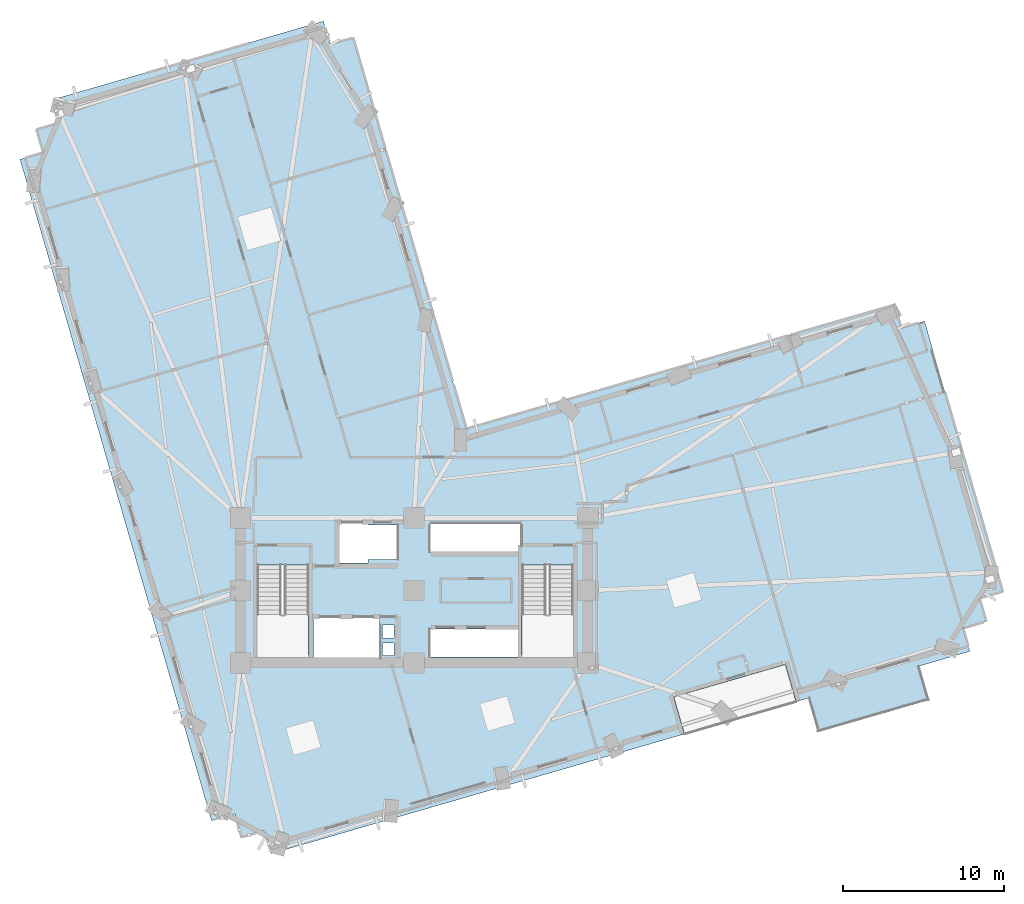
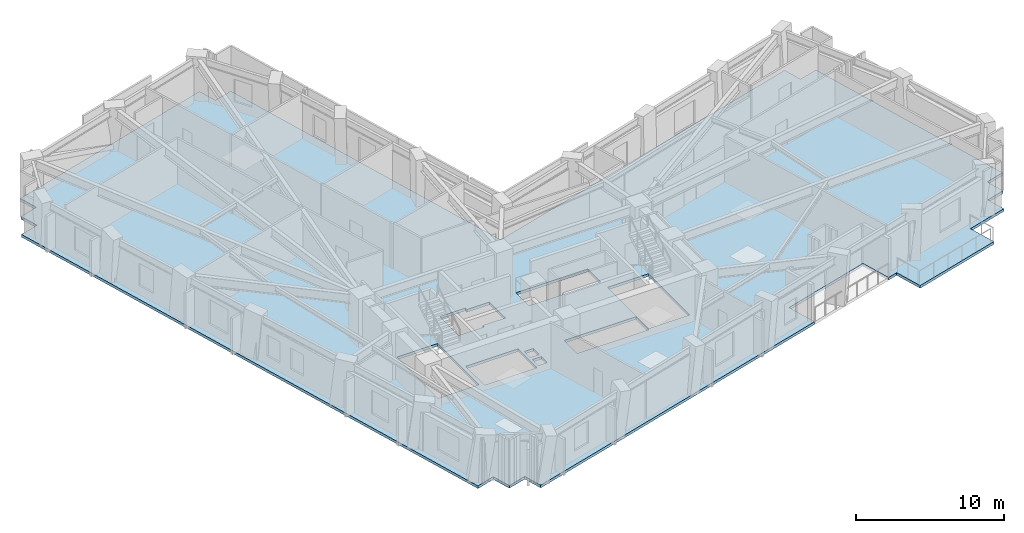
# One storey, part 5 of 15: 1 slab.
"""IFC4 building model written with IfcOpenShell, lengths in metres."""

from ifc_helpers import new_model, si_unit, direction, frame, origin, place, context, subcontext, project, spatial, polyline, outline, extrude, material, layer, layer_set, type_object, element, save


model = new_model("IFC4")

# Units and contexts
model_context = context("Model", 3, precision=1e-05, world=origin(), true_north=direction((0.0, 1.0)))
body_context = subcontext(model_context, "Body", "Model", "MODEL_VIEW")
ifc_project = project(units=[si_unit("LENGTHUNIT", "METRE"), si_unit("AREAUNIT", "SQUARE_METRE"), si_unit("VOLUMEUNIT", "CUBIC_METRE"), si_unit("PLANEANGLEUNIT", "RADIAN"), si_unit("MASSUNIT", "GRAM", prefix="KILO")], contexts=[model_context])

# Site, building, storey
site_placement = place(None, origin())
site = spatial("IfcSite", under=ifc_project, at=site_placement, CompositionType="ELEMENT")
building_placement = place(site_placement, origin())
building = spatial("IfcBuilding", under=site, at=building_placement, Name="Gaonmaruhae Medical Tower", CompositionType="ELEMENT")
storey_placement = place(building_placement, frame((0.0, 0.0, 92.39990234375)))
storey = spatial("IfcBuildingStorey", under=building, at=storey_placement, Name="L21", CompositionType="ELEMENT", Elevation=92.39990234375)

# Slab
ifc_material = material(Name="Concrete C40/50", Category="concrete")
ifc_layer = layer(ifc_material, 0.219970703125)
ifc_layer_set = layer_set([ifc_layer], Name="Concrete C40/50")
slab_type = type_object("IfcSlabType", Name="FS-220 Clinical Ward Composite Floor Slab", PredefinedType="FLOOR", material=ifc_layer_set)
slab_placement = place(storey_placement, frame((0.0, 0.0, -0.219970703125)))
element("IfcSlab", 1, at=slab_placement, inside=storey, type_object=slab_type, Name="L21 Structural Slab 1", PredefinedType="FLOOR", context=body_context, shape_type="SweptSolid", body=[
    extrude(outline(polyline([(15.51123046875, -2.61328125), (14.0703125, -3.030517578125), (13.6533203125, -1.589599609375), (12.21240234375, -2.0068359375), (0.3076171875, 39.10400390625), (1.748291015625, 39.521240234375), (1.3310546875, 40.962158203125), (2.771728515625, 41.37939453125), (2.3544921875, 42.820068359375), (19.1640625, 47.687744140625), (19.581298828125, 46.2470703125), (21.02197265625, 46.664306640625), (28.059326171875, 22.36279296875), (54.666259765625, 30.0673828125), (55.08349609375, 28.626708984375), (56.524169921875, 29.0439453125), (61.391845703125, 12.234619140625), (59.951171875, 11.8173828125), (60.368408203125, 10.37646484375), (58.927490234375, 9.959228515625), (59.3447265625, 8.5185546875), (56.21533203125, 7.6123046875), (56.8271484375, 5.4990234375), (49.911376953125, 3.496337890625), (49.29931640625, 5.609619140625), (48.531005859375, 5.386962890625), (47.86328125, 7.6923828125), (40.947509765625, 5.689697265625), (41.614990234375, 3.38427734375), (15.928466796875, -4.05419921875), (15.51123046875, -2.61328125)]), holes=[polyline([(23.550048828125, 8.25), (22.85009765625, 8.25), (22.85009765625, 9.050048828125), (23.550048828125, 9.050048828125), (23.550048828125, 8.25)]), polyline([(25.824951171875, 9.925048828125), (31.425048828125, 9.925048828125), (31.425048828125, 8.175048828125), (25.824951171875, 8.175048828125), (25.824951171875, 9.925048828125)]), polyline([(22.64990234375, 10.625), (22.64990234375, 8.074951171875), (18.550048828125, 8.074951171875), (18.550048828125, 10.625), (22.64990234375, 10.625)]), polyline([(23.550048828125, 9.35009765625), (22.85009765625, 9.35009765625), (22.85009765625, 10.14990234375), (23.550048828125, 10.14990234375), (23.550048828125, 9.35009765625)]), polyline([(15.050048828125, 13.889892578125), (18.25, 13.889892578125), (18.25, 8.300048828125), (15.050048828125, 8.300048828125), (15.050048828125, 13.889892578125)]), polyline([(31.5, 13.889892578125), (34.699951171875, 13.889892578125), (34.699951171875, 8.300048828125), (31.5, 8.300048828125), (31.5, 13.889892578125)]), polyline([(21.949951171875, 14.22509765625), (21.949951171875, 14.02490234375), (19.949951171875, 14.02490234375), (19.949951171875, 16.574951171875), (21.949951171875, 16.574951171875), (21.949951171875, 16.375), (23.72509765625, 16.375), (23.72509765625, 14.22509765625), (21.949951171875, 14.22509765625)]), polyline([(25.824951171875, 16.425048828125), (31.425048828125, 16.425048828125), (31.425048828125, 14.675048828125), (25.824951171875, 14.675048828125), (25.824951171875, 16.425048828125)])]), origin(), (0.0, 0.0, 1.0), 0.219970703125),
])

save(model, "model.ifc")
